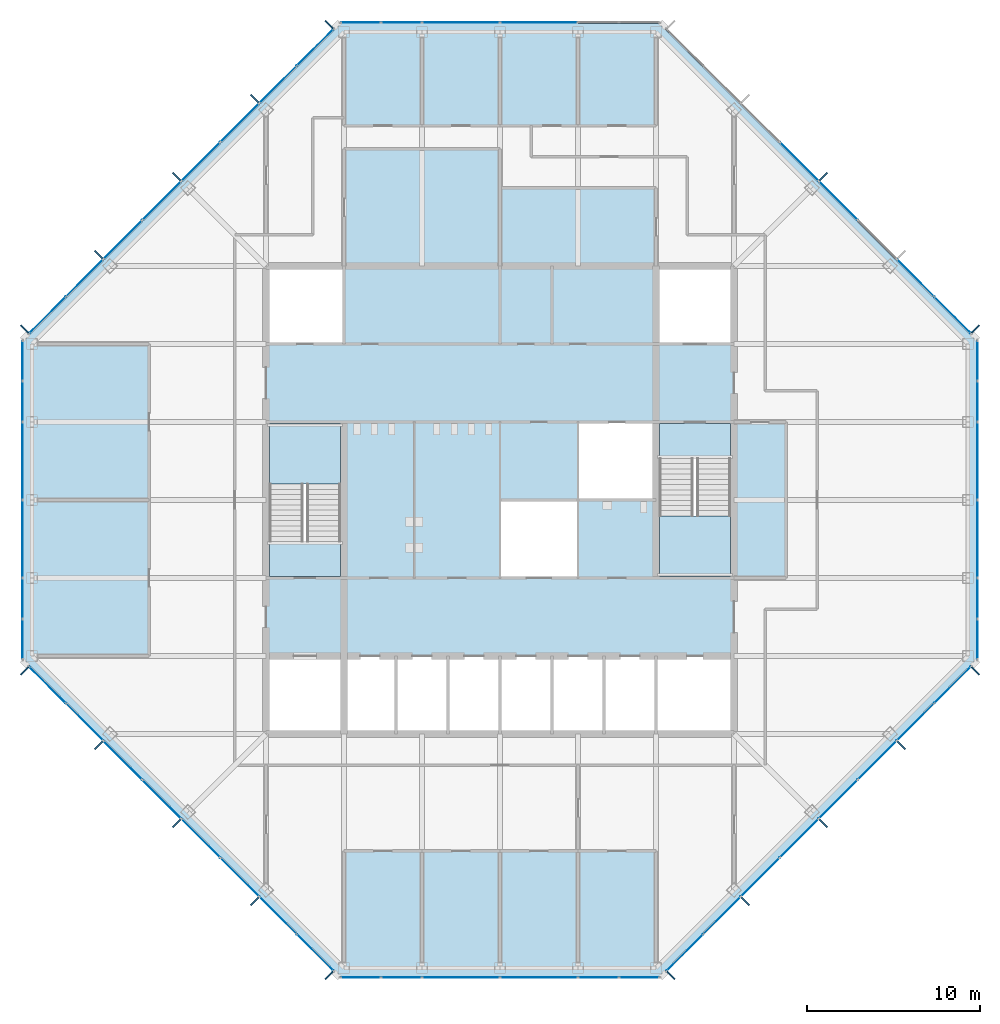
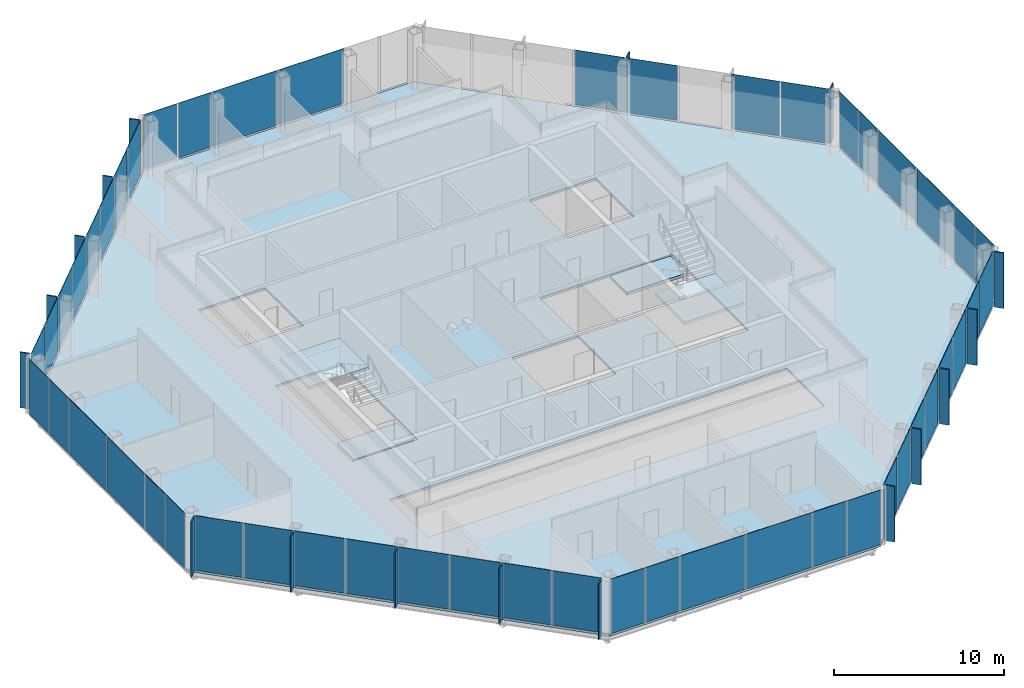
# One storey, part 8 of 14: 67 plates, 5 slabs, 10 elements without a shape of their own.
"""IFC4 building model written with IfcOpenShell, lengths in metres."""

from ifc_helpers import new_model, si_unit, direction, frame, origin, origin_2d, place, context, subcontext, project, spatial, polyline, rectangle, outline, extrude, material, layer, layer_set, type_object, element, aggregate, save


model = new_model("IFC4")

# Units and contexts
model_context = context("Model", 3, precision=1e-05, world=origin(), true_north=direction((0.0, 1.0)))
body_context = subcontext(model_context, "Body", "Model", "MODEL_VIEW")
ifc_project = project(units=[si_unit("LENGTHUNIT", "METRE"), si_unit("AREAUNIT", "SQUARE_METRE"), si_unit("VOLUMEUNIT", "CUBIC_METRE"), si_unit("PLANEANGLEUNIT", "RADIAN"), si_unit("MASSUNIT", "GRAM", prefix="KILO")], contexts=[model_context])

# Site, building, storey
site_placement = place(None, origin())
site = spatial("IfcSite", under=ifc_project, at=site_placement, CompositionType="ELEMENT")
building_placement = place(site_placement, origin())
building = spatial("IfcBuilding", under=site, at=building_placement, Name="Corais Broadcast Tower", CompositionType="ELEMENT")
storey_placement = place(building_placement, frame((0.0, 0.0, 254.60009765625)))
storey = spatial("IfcBuildingStorey", under=building, at=storey_placement, Name="L59", CompositionType="ELEMENT", Elevation=254.60009765625)

# Slab
ifc_material_1 = material(Name="Concrete C30/37", Category="concrete")
ifc_layer_1 = layer(ifc_material_1, 0.159912109375)
ifc_layer_set_1 = layer_set([ifc_layer_1], Name="Concrete C30/37")
slab_type_1 = type_object("IfcSlabType", Name="Composite floor slab 160", PredefinedType="FLOOR", material=ifc_layer_set_1)
slab_1_placement = place(storey_placement, frame((0.0, 0.0, -0.16015625)))
element("IfcSlab", 1, at=slab_1_placement, inside=storey, type_object=slab_type_1, Name="S160 floor slab L59", PredefinedType="FLOOR", context=body_context, shape_type="SweptSolid", body=[
    extrude(outline(polyline([(17.80126953125, -0.47998046875), (-0.47998046875, 17.80126953125), (-0.47998046875, 36.19873046875), (17.80126953125, 54.47998046875), (36.19873046875, 54.47998046875), (54.47998046875, 36.19873046875), (54.47998046875, 17.80126953125), (36.19873046875, -0.47998046875), (17.80126953125, -0.47998046875)]), holes=[polyline([(13.5, 18.0), (40.5, 18.0), (40.5, 13.5), (13.5, 13.5), (13.5, 18.0)]), polyline([(18.0, 22.5), (13.5, 22.5), (13.5, 31.5), (18.0, 31.5), (18.0, 22.5)]), polyline([(18.0, 36.0), (13.5, 36.0), (13.5, 40.5), (18.0, 40.5), (18.0, 36.0)]), polyline([(31.5, 22.5), (27.0, 22.5), (27.0, 27.0), (31.4951171875, 27.0), (31.4951171875, 27.0048828125), (31.5, 27.0048828125), (31.5, 31.5), (40.5, 31.5), (40.5, 22.5), (36.0, 22.5), (36.0, 27.0), (31.5048828125, 27.0), (31.5048828125, 26.9951171875), (31.5, 26.9951171875), (31.5, 22.5)]), polyline([(40.5, 36.0), (36.0, 36.0), (36.0, 40.5), (40.5, 40.5), (40.5, 36.0)])]), origin(), (0.0, 0.0, 1.0), 0.16015625),
])

# Curtain wall, plates
ifc_material_2 = material(Name="Aluminium and glass", Category="aluminium")
curtain_wall_type = type_object("IfcCurtainWallType", Name="Unitised fritted curtain wall CW3", PredefinedType="NOTDEFINED", material=ifc_material_2)
curtain_wall_1_placement = place(storey_placement, origin())
curtain_wall_1 = element("IfcCurtainWall", 2, at=curtain_wall_1_placement, inside=storey, type_object=curtain_wall_type, Name="CW3 curtain wall L59 1", PredefinedType="NOTDEFINED")
ifc_material_3 = material(Name="Ceramic-fritted laminated glass", Category="glass")
ifc_layer_2 = layer(ifc_material_3, 0.02587890625)
ifc_layer_set_2 = layer_set([ifc_layer_2], Name="Ceramic-fritted laminated glass")
plate_type_1 = type_object("IfcPlateType", Name="Fritted glass panel CW3", PredefinedType="CURTAIN_PANEL", material=ifc_layer_set_2)
plate_1_placement = place(storey_placement, frame((16.330322265625, 0.891845703125, 0.06494140625), z_axis=(0.0, 0.0, 1.0), x_axis=(-0.707106781187, 0.707106781187, 0.0)))
plate_1 = element("IfcPlate", 3, at=plate_1_placement, type_object=plate_type_1, Name="CW3 panel 1", PredefinedType="CURTAIN_PANEL", context=body_context, shape_type="SweptSolid", body=[
    extrude(rectangle(XDim=2.9482421875, YDim=0.02587890625, at=origin_2d()), origin(), (0.0, 0.0, 1.0), 3.93505859375),
])
plate_2_placement = place(storey_placement, frame((11.986083984375, 5.236083984375, 0.06494140625), z_axis=(0.0, 0.0, 1.0), x_axis=(-0.707106781187, 0.707106781187, 0.0)))
plate_2 = element("IfcPlate", 4, at=plate_2_placement, type_object=plate_type_1, Name="CW3 panel 3", PredefinedType="CURTAIN_PANEL", context=body_context, shape_type="SweptSolid", body=[
    extrude(rectangle(XDim=3.116943359375, YDim=0.02587890625, at=origin_2d()), origin(), (0.0, 0.0, 1.0), 3.93505859375),
])
plate_3_placement = place(storey_placement, frame((7.486083984375, 9.736083984375, 0.06494140625), z_axis=(0.0, 0.0, 1.0), x_axis=(-0.707106781187, 0.707106781187, 0.0)))
plate_3 = element("IfcPlate", 5, at=plate_3_placement, type_object=plate_type_1, Name="CW3 panel 5", PredefinedType="CURTAIN_PANEL", context=body_context, shape_type="SweptSolid", body=[
    extrude(rectangle(XDim=3.116943359375, YDim=0.02587890625, at=origin_2d()), origin(), (0.0, 0.0, 1.0), 3.93505859375),
])
plate_4_placement = place(storey_placement, frame((3.0341796875, 14.18798828125, 0.06494140625), z_axis=(0.0, 0.0, 1.0), x_axis=(-0.707106781187, 0.707106781187, 0.0)))
plate_4 = element("IfcPlate", 6, at=plate_4_placement, type_object=plate_type_1, Name="CW3 panel 7", PredefinedType="CURTAIN_PANEL", context=body_context, shape_type="SweptSolid", body=[
    extrude(rectangle(XDim=2.98095703125, YDim=0.02587890625, at=origin_2d()), origin(), (0.0, 0.0, 1.0), 3.93505859375),
])

curtain_wall_2_placement = place(storey_placement, origin())
curtain_wall_2 = element("IfcCurtainWall", 7, at=curtain_wall_2_placement, inside=storey, type_object=curtain_wall_type, Name="CW3 curtain wall L59 2", PredefinedType="NOTDEFINED")
plate_5_placement = place(storey_placement, frame((-0.550048828125, 18.970458984375, 0.06494140625), z_axis=(0.0, 0.0, 1.0), x_axis=(0.0, 1.0, 0.0)))
plate_5 = element("IfcPlate", 8, at=plate_5_placement, type_object=plate_type_1, Name="CW3 panel 1", PredefinedType="CURTAIN_PANEL", context=body_context, shape_type="SweptSolid", body=[
    extrude(rectangle(XDim=2.266357421875, YDim=0.02587890625, at=origin_2d()), origin(), (0.0, 0.0, 1.0), 3.93505859375),
])
plate_6_placement = place(storey_placement, frame((-0.550048828125, 24.75, 0.06494140625), z_axis=(0.0, 0.0, 1.0), x_axis=(0.0, 1.0, 0.0)))
plate_6 = element("IfcPlate", 9, at=plate_6_placement, type_object=plate_type_1, Name="CW3 panel 3", PredefinedType="CURTAIN_PANEL", context=body_context, shape_type="SweptSolid", body=[
    extrude(rectangle(XDim=4.43505859375, YDim=0.02587890625, at=origin_2d()), origin(), (0.0, 0.0, 1.0), 3.93505859375),
])
plate_7_placement = place(storey_placement, frame((-0.550048828125, 32.681884765625, 0.06494140625), z_axis=(0.0, 0.0, 1.0), x_axis=(0.0, 1.0, 0.0)))
plate_7 = element("IfcPlate", 10, at=plate_7_placement, type_object=plate_type_1, Name="CW3 panel 5", PredefinedType="CURTAIN_PANEL", context=body_context, shape_type="SweptSolid", body=[
    extrude(rectangle(XDim=2.298828125, YDim=0.02587890625, at=origin_2d()), origin(), (0.0, 0.0, 1.0), 3.93505859375),
])

curtain_wall_3_placement = place(storey_placement, origin())
curtain_wall_3 = element("IfcCurtainWall", 11, at=curtain_wall_3_placement, inside=storey, type_object=curtain_wall_type, Name="CW3 curtain wall L59 3", PredefinedType="NOTDEFINED")
plate_8_placement = place(storey_placement, frame((0.891845703125, 37.669677734375, 0.06494140625), z_axis=(0.0, 0.0, 1.0), x_axis=(0.707106781187, 0.707106781187, 0.0)))
plate_8 = element("IfcPlate", 12, at=plate_8_placement, type_object=plate_type_1, Name="CW3 panel 1", PredefinedType="CURTAIN_PANEL", context=body_context, shape_type="SweptSolid", body=[
    extrude(rectangle(XDim=2.9482421875, YDim=0.02587890625, at=origin_2d()), origin(), (0.0, 0.0, 1.0), 3.93505859375),
])
plate_9_placement = place(storey_placement, frame((5.236083984375, 42.013916015625, 0.06494140625), z_axis=(0.0, 0.0, 1.0), x_axis=(0.707106781187, 0.707106781187, 0.0)))
plate_9 = element("IfcPlate", 13, at=plate_9_placement, type_object=plate_type_1, Name="CW3 panel 3", PredefinedType="CURTAIN_PANEL", context=body_context, shape_type="SweptSolid", body=[
    extrude(rectangle(XDim=3.116943359375, YDim=0.02587890625, at=origin_2d()), origin(), (0.0, 0.0, 1.0), 3.93505859375),
])
plate_10_placement = place(storey_placement, frame((9.736083984375, 46.513916015625, 0.06494140625), z_axis=(0.0, 0.0, 1.0), x_axis=(0.707106781187, 0.707106781187, 0.0)))
plate_10 = element("IfcPlate", 14, at=plate_10_placement, type_object=plate_type_1, Name="CW3 panel 5", PredefinedType="CURTAIN_PANEL", context=body_context, shape_type="SweptSolid", body=[
    extrude(rectangle(XDim=3.116943359375, YDim=0.02587890625, at=origin_2d()), origin(), (0.0, 0.0, 1.0), 3.93505859375),
])
plate_11_placement = place(storey_placement, frame((14.18798828125, 50.9658203125, 0.06494140625), z_axis=(0.0, 0.0, 1.0), x_axis=(0.707106781187, 0.707106781187, 0.0)))
plate_11 = element("IfcPlate", 15, at=plate_11_placement, type_object=plate_type_1, Name="CW3 panel 7", PredefinedType="CURTAIN_PANEL", context=body_context, shape_type="SweptSolid", body=[
    extrude(rectangle(XDim=2.98095703125, YDim=0.02587890625, at=origin_2d()), origin(), (0.0, 0.0, 1.0), 3.93505859375),
])

curtain_wall_4_placement = place(storey_placement, origin())
curtain_wall_4 = element("IfcCurtainWall", 16, at=curtain_wall_4_placement, inside=storey, type_object=curtain_wall_type, Name="CW3 curtain wall L59 4", PredefinedType="NOTDEFINED")
plate_12_placement = place(storey_placement, frame((18.970458984375, 54.550048828125, 0.06494140625), z_axis=(0.0, 0.0, 1.0), x_axis=(1.0, 0.0, 0.0)))
plate_12 = element("IfcPlate", 17, at=plate_12_placement, type_object=plate_type_1, Name="CW3 panel 1", PredefinedType="CURTAIN_PANEL", context=body_context, shape_type="SweptSolid", body=[
    extrude(rectangle(XDim=2.266357421875, YDim=0.02587890625, at=origin_2d()), origin(), (0.0, 0.0, 1.0), 3.93505859375),
])
plate_13_placement = place(storey_placement, frame((24.75, 54.550048828125, 0.06494140625), z_axis=(0.0, 0.0, 1.0), x_axis=(1.0, 0.0, 0.0)))
plate_13 = element("IfcPlate", 18, at=plate_13_placement, type_object=plate_type_1, Name="CW3 panel 3", PredefinedType="CURTAIN_PANEL", context=body_context, shape_type="SweptSolid", body=[
    extrude(rectangle(XDim=4.43505859375, YDim=0.02587890625, at=origin_2d()), origin(), (0.0, 0.0, 1.0), 3.93505859375),
])

curtain_wall_5_placement = place(storey_placement, origin())
curtain_wall_5 = element("IfcCurtainWall", 19, at=curtain_wall_5_placement, inside=storey, type_object=curtain_wall_type, Name="CW3 curtain wall L59 5", PredefinedType="NOTDEFINED")
plate_14_placement = place(storey_placement, frame((46.513916015625, 44.263916015625, 0.06494140625), z_axis=(0.0, 0.0, 1.0), x_axis=(0.707106781187, -0.707106781187, 0.0)))
plate_14 = element("IfcPlate", 20, at=plate_14_placement, type_object=plate_type_1, Name="CW3 panel 5", PredefinedType="CURTAIN_PANEL", context=body_context, shape_type="SweptSolid", body=[
    extrude(rectangle(XDim=3.116943359375, YDim=0.02587890625, at=origin_2d()), origin(), (0.0, 0.0, 1.0), 3.93505859375),
])
plate_15_placement = place(storey_placement, frame((50.9658203125, 39.81201171875, 0.06494140625), z_axis=(0.0, 0.0, 1.0), x_axis=(0.707106781187, -0.707106781187, 0.0)))
plate_15 = element("IfcPlate", 21, at=plate_15_placement, type_object=plate_type_1, Name="CW3 panel 7", PredefinedType="CURTAIN_PANEL", context=body_context, shape_type="SweptSolid", body=[
    extrude(rectangle(XDim=2.98095703125, YDim=0.02587890625, at=origin_2d()), origin(), (0.0, 0.0, 1.0), 3.93505859375),
])

curtain_wall_6_placement = place(storey_placement, origin())
curtain_wall_6 = element("IfcCurtainWall", 22, at=curtain_wall_6_placement, inside=storey, type_object=curtain_wall_type, Name="CW3 curtain wall L59 6", PredefinedType="NOTDEFINED")
plate_16_placement = place(storey_placement, frame((54.550048828125, 35.029541015625, 0.06494140625), z_axis=(0.0, 0.0, 1.0), x_axis=(0.0, -1.0, 0.0)))
plate_16 = element("IfcPlate", 23, at=plate_16_placement, type_object=plate_type_1, Name="CW3 panel 1", PredefinedType="CURTAIN_PANEL", context=body_context, shape_type="SweptSolid", body=[
    extrude(rectangle(XDim=2.266357421875, YDim=0.02587890625, at=origin_2d()), origin(), (0.0, 0.0, 1.0), 3.93505859375),
])
plate_17_placement = place(storey_placement, frame((54.550048828125, 29.25, 0.06494140625), z_axis=(0.0, 0.0, 1.0), x_axis=(0.0, -1.0, 0.0)))
plate_17 = element("IfcPlate", 24, at=plate_17_placement, type_object=plate_type_1, Name="CW3 panel 3", PredefinedType="CURTAIN_PANEL", context=body_context, shape_type="SweptSolid", body=[
    extrude(rectangle(XDim=4.43505859375, YDim=0.02587890625, at=origin_2d()), origin(), (0.0, 0.0, 1.0), 3.93505859375),
])
plate_18_placement = place(storey_placement, frame((54.550048828125, 21.318115234375, 0.06494140625), z_axis=(0.0, 0.0, 1.0), x_axis=(0.0, -1.0, 0.0)))
plate_18 = element("IfcPlate", 25, at=plate_18_placement, type_object=plate_type_1, Name="CW3 panel 5", PredefinedType="CURTAIN_PANEL", context=body_context, shape_type="SweptSolid", body=[
    extrude(rectangle(XDim=2.298828125, YDim=0.02587890625, at=origin_2d()), origin(), (0.0, 0.0, 1.0), 3.93505859375),
])

curtain_wall_7_placement = place(storey_placement, origin())
curtain_wall_7 = element("IfcCurtainWall", 26, at=curtain_wall_7_placement, inside=storey, type_object=curtain_wall_type, Name="CW3 curtain wall L59 7", PredefinedType="NOTDEFINED")
plate_19_placement = place(storey_placement, frame((53.108154296875, 16.330322265625, 0.06494140625), z_axis=(0.0, 0.0, 1.0), x_axis=(-0.707106781187, -0.707106781187, 0.0)))
plate_19 = element("IfcPlate", 27, at=plate_19_placement, type_object=plate_type_1, Name="CW3 panel 1", PredefinedType="CURTAIN_PANEL", context=body_context, shape_type="SweptSolid", body=[
    extrude(rectangle(XDim=2.9482421875, YDim=0.02587890625, at=origin_2d()), origin(), (0.0, 0.0, 1.0), 3.93505859375),
])
plate_20_placement = place(storey_placement, frame((48.763916015625, 11.986083984375, 0.06494140625), z_axis=(0.0, 0.0, 1.0), x_axis=(-0.707106781187, -0.707106781187, 0.0)))
plate_20 = element("IfcPlate", 28, at=plate_20_placement, type_object=plate_type_1, Name="CW3 panel 3", PredefinedType="CURTAIN_PANEL", context=body_context, shape_type="SweptSolid", body=[
    extrude(rectangle(XDim=3.116943359375, YDim=0.02587890625, at=origin_2d()), origin(), (0.0, 0.0, 1.0), 3.93505859375),
])
plate_21_placement = place(storey_placement, frame((44.263916015625, 7.486083984375, 0.06494140625), z_axis=(0.0, 0.0, 1.0), x_axis=(-0.707106781187, -0.707106781187, 0.0)))
plate_21 = element("IfcPlate", 29, at=plate_21_placement, type_object=plate_type_1, Name="CW3 panel 5", PredefinedType="CURTAIN_PANEL", context=body_context, shape_type="SweptSolid", body=[
    extrude(rectangle(XDim=3.116943359375, YDim=0.02587890625, at=origin_2d()), origin(), (0.0, 0.0, 1.0), 3.93505859375),
])
plate_22_placement = place(storey_placement, frame((39.81201171875, 3.0341796875, 0.06494140625), z_axis=(0.0, 0.0, 1.0), x_axis=(-0.707106781187, -0.707106781187, 0.0)))
plate_22 = element("IfcPlate", 30, at=plate_22_placement, type_object=plate_type_1, Name="CW3 panel 7", PredefinedType="CURTAIN_PANEL", context=body_context, shape_type="SweptSolid", body=[
    extrude(rectangle(XDim=2.98095703125, YDim=0.02587890625, at=origin_2d()), origin(), (0.0, 0.0, 1.0), 3.93505859375),
])

curtain_wall_8_placement = place(storey_placement, origin())
curtain_wall_8 = element("IfcCurtainWall", 31, at=curtain_wall_8_placement, inside=storey, type_object=curtain_wall_type, Name="CW3 curtain wall L59 8", PredefinedType="NOTDEFINED")
plate_23_placement = place(storey_placement, frame((35.029541015625, -0.550048828125, 0.06494140625), z_axis=(0.0, 0.0, 1.0), x_axis=(-1.0, 0.0, 0.0)))
plate_23 = element("IfcPlate", 32, at=plate_23_placement, type_object=plate_type_1, Name="CW3 panel 1", PredefinedType="CURTAIN_PANEL", context=body_context, shape_type="SweptSolid", body=[
    extrude(rectangle(XDim=2.266357421875, YDim=0.02587890625, at=origin_2d()), origin(), (0.0, 0.0, 1.0), 3.93505859375),
])
plate_24_placement = place(storey_placement, frame((29.25, -0.550048828125, 0.06494140625), z_axis=(0.0, 0.0, 1.0), x_axis=(-1.0, 0.0, 0.0)))
plate_24 = element("IfcPlate", 33, at=plate_24_placement, type_object=plate_type_1, Name="CW3 panel 3", PredefinedType="CURTAIN_PANEL", context=body_context, shape_type="SweptSolid", body=[
    extrude(rectangle(XDim=4.43505859375, YDim=0.02587890625, at=origin_2d()), origin(), (0.0, 0.0, 1.0), 3.93505859375),
])
plate_25_placement = place(storey_placement, frame((21.318115234375, -0.550048828125, 0.06494140625), z_axis=(0.0, 0.0, 1.0), x_axis=(-1.0, 0.0, 0.0)))
plate_25 = element("IfcPlate", 34, at=plate_25_placement, type_object=plate_type_1, Name="CW3 panel 5", PredefinedType="CURTAIN_PANEL", context=body_context, shape_type="SweptSolid", body=[
    extrude(rectangle(XDim=2.298828125, YDim=0.02587890625, at=origin_2d()), origin(), (0.0, 0.0, 1.0), 3.93505859375),
])

# Plate
ifc_material_4 = material(Name="Clear laminated glass", Category="glass")
ifc_layer_3 = layer(ifc_material_4, 0.030029296875)
ifc_layer_set_3 = layer_set([ifc_layer_3], Name="Clear laminated glass")
plate_type_2 = type_object("IfcPlateType", Name="Operable glass panel CW3", PredefinedType="CURTAIN_PANEL", material=ifc_layer_set_3)
plate_26_placement = place(storey_placement, frame((14.18798828125, 3.0341796875, 0.06494140625), z_axis=(0.0, 0.0, 1.0), x_axis=(-0.707106781187, 0.707106781187, 0.0)))
plate_26 = element("IfcPlate", 35, at=plate_26_placement, type_object=plate_type_2, Name="CW3 operable panel 2", PredefinedType="CURTAIN_PANEL", context=body_context, shape_type="SweptSolid", body=[
    extrude(rectangle(XDim=2.98095703125, YDim=0.030029296875, at=origin_2d()), origin(), (0.0, 0.0, 1.0), 3.93505859375),
])

plate_27_placement = place(storey_placement, frame((9.736083984375, 7.486083984375, 0.06494140625), z_axis=(0.0, 0.0, 1.0), x_axis=(-0.707106781187, 0.707106781187, 0.0)))
plate_27 = element("IfcPlate", 36, at=plate_27_placement, type_object=plate_type_2, Name="CW3 operable panel 4", PredefinedType="CURTAIN_PANEL", context=body_context, shape_type="SweptSolid", body=[
    extrude(rectangle(XDim=3.116943359375, YDim=0.030029296875, at=origin_2d()), origin(), (0.0, 0.0, 1.0), 3.93505859375),
])

plate_28_placement = place(storey_placement, frame((5.236083984375, 11.986083984375, 0.06494140625), z_axis=(0.0, 0.0, 1.0), x_axis=(-0.707106781187, 0.707106781187, 0.0)))
plate_28 = element("IfcPlate", 37, at=plate_28_placement, type_object=plate_type_2, Name="CW3 operable panel 6", PredefinedType="CURTAIN_PANEL", context=body_context, shape_type="SweptSolid", body=[
    extrude(rectangle(XDim=3.116943359375, YDim=0.030029296875, at=origin_2d()), origin(), (0.0, 0.0, 1.0), 3.93505859375),
])

plate_29_placement = place(storey_placement, frame((0.89208984375, 16.330322265625, 0.06494140625), z_axis=(0.0, 0.0, 1.0), x_axis=(-0.707106781187, 0.707106781187, 0.0)))
plate_29 = element("IfcPlate", 38, at=plate_29_placement, type_object=plate_type_2, Name="CW3 operable panel 8", PredefinedType="CURTAIN_PANEL", context=body_context, shape_type="SweptSolid", body=[
    extrude(rectangle(XDim=2.948486328125, YDim=0.030029296875, at=origin_2d()), origin(), (0.0, 0.0, 1.0), 3.93505859375),
])

aggregate(curtain_wall_1, [plate_1, plate_26, plate_2, plate_27, plate_3, plate_28, plate_4, plate_29])

plate_30_placement = place(storey_placement, frame((-0.550048828125, 21.318115234375, 0.06494140625), z_axis=(0.0, 0.0, 1.0), x_axis=(0.0, 1.0, 0.0)))
plate_30 = element("IfcPlate", 39, at=plate_30_placement, type_object=plate_type_2, Name="CW3 operable panel 2", PredefinedType="CURTAIN_PANEL", context=body_context, shape_type="SweptSolid", body=[
    extrude(rectangle(XDim=2.298828125, YDim=0.030029296875, at=origin_2d()), origin(), (0.0, 0.0, 1.0), 3.93505859375),
])

plate_31_placement = place(storey_placement, frame((-0.550048828125, 29.25, 0.06494140625), z_axis=(0.0, 0.0, 1.0), x_axis=(0.0, 1.0, 0.0)))
plate_31 = element("IfcPlate", 40, at=plate_31_placement, type_object=plate_type_2, Name="CW3 operable panel 4", PredefinedType="CURTAIN_PANEL", context=body_context, shape_type="SweptSolid", body=[
    extrude(rectangle(XDim=4.43505859375, YDim=0.030029296875, at=origin_2d()), origin(), (0.0, 0.0, 1.0), 3.93505859375),
])

plate_32_placement = place(storey_placement, frame((-0.550048828125, 35.029541015625, 0.06494140625), z_axis=(0.0, 0.0, 1.0), x_axis=(0.0, 1.0, 0.0)))
plate_32 = element("IfcPlate", 41, at=plate_32_placement, type_object=plate_type_2, Name="CW3 operable panel 6", PredefinedType="CURTAIN_PANEL", context=body_context, shape_type="SweptSolid", body=[
    extrude(rectangle(XDim=2.266357421875, YDim=0.030029296875, at=origin_2d()), origin(), (0.0, 0.0, 1.0), 3.93505859375),
])

aggregate(curtain_wall_2, [plate_5, plate_30, plate_6, plate_31, plate_7, plate_32])

plate_33_placement = place(storey_placement, frame((3.0341796875, 39.81201171875, 0.06494140625), z_axis=(0.0, 0.0, 1.0), x_axis=(0.707106781187, 0.707106781187, 0.0)))
plate_33 = element("IfcPlate", 42, at=plate_33_placement, type_object=plate_type_2, Name="CW3 operable panel 2", PredefinedType="CURTAIN_PANEL", context=body_context, shape_type="SweptSolid", body=[
    extrude(rectangle(XDim=2.98095703125, YDim=0.030029296875, at=origin_2d()), origin(), (0.0, 0.0, 1.0), 3.93505859375),
])

plate_34_placement = place(storey_placement, frame((7.486083984375, 44.263916015625, 0.06494140625), z_axis=(0.0, 0.0, 1.0), x_axis=(0.707106781187, 0.707106781187, 0.0)))
plate_34 = element("IfcPlate", 43, at=plate_34_placement, type_object=plate_type_2, Name="CW3 operable panel 4", PredefinedType="CURTAIN_PANEL", context=body_context, shape_type="SweptSolid", body=[
    extrude(rectangle(XDim=3.116943359375, YDim=0.030029296875, at=origin_2d()), origin(), (0.0, 0.0, 1.0), 3.93505859375),
])

plate_35_placement = place(storey_placement, frame((11.986083984375, 48.763916015625, 0.06494140625), z_axis=(0.0, 0.0, 1.0), x_axis=(0.707106781187, 0.707106781187, 0.0)))
plate_35 = element("IfcPlate", 44, at=plate_35_placement, type_object=plate_type_2, Name="CW3 operable panel 6", PredefinedType="CURTAIN_PANEL", context=body_context, shape_type="SweptSolid", body=[
    extrude(rectangle(XDim=3.116943359375, YDim=0.030029296875, at=origin_2d()), origin(), (0.0, 0.0, 1.0), 3.93505859375),
])

plate_36_placement = place(storey_placement, frame((16.330322265625, 53.10791015625, 0.06494140625), z_axis=(0.0, 0.0, 1.0), x_axis=(0.707106781187, 0.707106781187, 0.0)))
plate_36 = element("IfcPlate", 45, at=plate_36_placement, type_object=plate_type_2, Name="CW3 operable panel 8", PredefinedType="CURTAIN_PANEL", context=body_context, shape_type="SweptSolid", body=[
    extrude(rectangle(XDim=2.948486328125, YDim=0.030029296875, at=origin_2d()), origin(), (0.0, 0.0, 1.0), 3.93505859375),
])

aggregate(curtain_wall_3, [plate_8, plate_33, plate_9, plate_34, plate_10, plate_35, plate_11, plate_36])

plate_37_placement = place(storey_placement, frame((21.318115234375, 54.550048828125, 0.06494140625), z_axis=(0.0, 0.0, 1.0), x_axis=(1.0, 0.0, 0.0)))
plate_37 = element("IfcPlate", 46, at=plate_37_placement, type_object=plate_type_2, Name="CW3 operable panel 2", PredefinedType="CURTAIN_PANEL", context=body_context, shape_type="SweptSolid", body=[
    extrude(rectangle(XDim=2.298828125, YDim=0.030029296875, at=origin_2d()), origin(), (0.0, 0.0, 1.0), 3.93505859375),
])

plate_38_placement = place(storey_placement, frame((29.25, 54.550048828125, 0.06494140625), z_axis=(0.0, 0.0, 1.0), x_axis=(1.0, 0.0, 0.0)))
plate_38 = element("IfcPlate", 47, at=plate_38_placement, type_object=plate_type_2, Name="CW3 operable panel 4", PredefinedType="CURTAIN_PANEL", context=body_context, shape_type="SweptSolid", body=[
    extrude(rectangle(XDim=4.43505859375, YDim=0.030029296875, at=origin_2d()), origin(), (0.0, 0.0, 1.0), 3.93505859375),
])

aggregate(curtain_wall_4, [plate_12, plate_37, plate_13, plate_38])

plate_39_placement = place(storey_placement, frame((44.263916015625, 46.513916015625, 0.06494140625), z_axis=(0.0, 0.0, 1.0), x_axis=(0.707106781187, -0.707106781187, 0.0)))
plate_39 = element("IfcPlate", 48, at=plate_39_placement, type_object=plate_type_2, Name="CW3 operable panel 4", PredefinedType="CURTAIN_PANEL", context=body_context, shape_type="SweptSolid", body=[
    extrude(rectangle(XDim=3.116943359375, YDim=0.030029296875, at=origin_2d()), origin(), (0.0, 0.0, 1.0), 3.93505859375),
])

plate_40_placement = place(storey_placement, frame((53.10791015625, 37.669677734375, 0.06494140625), z_axis=(0.0, 0.0, 1.0), x_axis=(0.707106781187, -0.707106781187, 0.0)))
plate_40 = element("IfcPlate", 49, at=plate_40_placement, type_object=plate_type_2, Name="CW3 operable panel 8", PredefinedType="CURTAIN_PANEL", context=body_context, shape_type="SweptSolid", body=[
    extrude(rectangle(XDim=2.948486328125, YDim=0.030029296875, at=origin_2d()), origin(), (0.0, 0.0, 1.0), 3.93505859375),
])

aggregate(curtain_wall_5, [plate_39, plate_14, plate_15, plate_40])

plate_41_placement = place(storey_placement, frame((54.550048828125, 32.681884765625, 0.06494140625), z_axis=(0.0, 0.0, 1.0), x_axis=(0.0, -1.0, 0.0)))
plate_41 = element("IfcPlate", 50, at=plate_41_placement, type_object=plate_type_2, Name="CW3 operable panel 2", PredefinedType="CURTAIN_PANEL", context=body_context, shape_type="SweptSolid", body=[
    extrude(rectangle(XDim=2.298828125, YDim=0.030029296875, at=origin_2d()), origin(), (0.0, 0.0, 1.0), 3.93505859375),
])

plate_42_placement = place(storey_placement, frame((54.550048828125, 24.75, 0.06494140625), z_axis=(0.0, 0.0, 1.0), x_axis=(0.0, -1.0, 0.0)))
plate_42 = element("IfcPlate", 51, at=plate_42_placement, type_object=plate_type_2, Name="CW3 operable panel 4", PredefinedType="CURTAIN_PANEL", context=body_context, shape_type="SweptSolid", body=[
    extrude(rectangle(XDim=4.43505859375, YDim=0.030029296875, at=origin_2d()), origin(), (0.0, 0.0, 1.0), 3.93505859375),
])

plate_43_placement = place(storey_placement, frame((54.550048828125, 18.970458984375, 0.06494140625), z_axis=(0.0, 0.0, 1.0), x_axis=(0.0, -1.0, 0.0)))
plate_43 = element("IfcPlate", 52, at=plate_43_placement, type_object=plate_type_2, Name="CW3 operable panel 6", PredefinedType="CURTAIN_PANEL", context=body_context, shape_type="SweptSolid", body=[
    extrude(rectangle(XDim=2.266357421875, YDim=0.030029296875, at=origin_2d()), origin(), (0.0, 0.0, 1.0), 3.93505859375),
])

aggregate(curtain_wall_6, [plate_16, plate_41, plate_17, plate_42, plate_18, plate_43])

plate_44_placement = place(storey_placement, frame((50.9658203125, 14.18798828125, 0.06494140625), z_axis=(0.0, 0.0, 1.0), x_axis=(-0.707106781187, -0.707106781187, 0.0)))
plate_44 = element("IfcPlate", 53, at=plate_44_placement, type_object=plate_type_2, Name="CW3 operable panel 2", PredefinedType="CURTAIN_PANEL", context=body_context, shape_type="SweptSolid", body=[
    extrude(rectangle(XDim=2.98095703125, YDim=0.030029296875, at=origin_2d()), origin(), (0.0, 0.0, 1.0), 3.93505859375),
])

plate_45_placement = place(storey_placement, frame((46.513916015625, 9.736083984375, 0.06494140625), z_axis=(0.0, 0.0, 1.0), x_axis=(-0.707106781187, -0.707106781187, 0.0)))
plate_45 = element("IfcPlate", 54, at=plate_45_placement, type_object=plate_type_2, Name="CW3 operable panel 4", PredefinedType="CURTAIN_PANEL", context=body_context, shape_type="SweptSolid", body=[
    extrude(rectangle(XDim=3.116943359375, YDim=0.030029296875, at=origin_2d()), origin(), (0.0, 0.0, 1.0), 3.93505859375),
])

plate_46_placement = place(storey_placement, frame((42.013916015625, 5.236083984375, 0.06494140625), z_axis=(0.0, 0.0, 1.0), x_axis=(-0.707106781187, -0.707106781187, 0.0)))
plate_46 = element("IfcPlate", 55, at=plate_46_placement, type_object=plate_type_2, Name="CW3 operable panel 6", PredefinedType="CURTAIN_PANEL", context=body_context, shape_type="SweptSolid", body=[
    extrude(rectangle(XDim=3.116943359375, YDim=0.030029296875, at=origin_2d()), origin(), (0.0, 0.0, 1.0), 3.93505859375),
])

plate_47_placement = place(storey_placement, frame((37.669677734375, 0.89208984375, 0.06494140625), z_axis=(0.0, 0.0, 1.0), x_axis=(-0.707106781187, -0.707106781187, 0.0)))
plate_47 = element("IfcPlate", 56, at=plate_47_placement, type_object=plate_type_2, Name="CW3 operable panel 8", PredefinedType="CURTAIN_PANEL", context=body_context, shape_type="SweptSolid", body=[
    extrude(rectangle(XDim=2.948486328125, YDim=0.030029296875, at=origin_2d()), origin(), (0.0, 0.0, 1.0), 3.93505859375),
])

aggregate(curtain_wall_7, [plate_19, plate_44, plate_20, plate_45, plate_21, plate_46, plate_22, plate_47])

plate_48_placement = place(storey_placement, frame((32.681884765625, -0.550048828125, 0.06494140625), z_axis=(0.0, 0.0, 1.0), x_axis=(-1.0, 0.0, 0.0)))
plate_48 = element("IfcPlate", 57, at=plate_48_placement, type_object=plate_type_2, Name="CW3 operable panel 2", PredefinedType="CURTAIN_PANEL", context=body_context, shape_type="SweptSolid", body=[
    extrude(rectangle(XDim=2.298828125, YDim=0.030029296875, at=origin_2d()), origin(), (0.0, 0.0, 1.0), 3.93505859375),
])

plate_49_placement = place(storey_placement, frame((24.75, -0.550048828125, 0.06494140625), z_axis=(0.0, 0.0, 1.0), x_axis=(-1.0, 0.0, 0.0)))
plate_49 = element("IfcPlate", 58, at=plate_49_placement, type_object=plate_type_2, Name="CW3 operable panel 4", PredefinedType="CURTAIN_PANEL", context=body_context, shape_type="SweptSolid", body=[
    extrude(rectangle(XDim=4.43505859375, YDim=0.030029296875, at=origin_2d()), origin(), (0.0, 0.0, 1.0), 3.93505859375),
])

plate_50_placement = place(storey_placement, frame((18.970458984375, -0.550048828125, 0.06494140625), z_axis=(0.0, 0.0, 1.0), x_axis=(-1.0, 0.0, 0.0)))
plate_50 = element("IfcPlate", 59, at=plate_50_placement, type_object=plate_type_2, Name="CW3 operable panel 6", PredefinedType="CURTAIN_PANEL", context=body_context, shape_type="SweptSolid", body=[
    extrude(rectangle(XDim=2.266357421875, YDim=0.030029296875, at=origin_2d()), origin(), (0.0, 0.0, 1.0), 3.93505859375),
])

aggregate(curtain_wall_8, [plate_23, plate_48, plate_24, plate_49, plate_25, plate_50])

# Stair, slabs
ifc_material_5 = material(Name="Concrete C30/37", Category="concrete")
stair_type = type_object("IfcStairType", Name="Half-turn stair 4000", PredefinedType="HALF_TURN_STAIR", material=ifc_material_5)
stair_1_placement = place(storey_placement, origin())
stair_1 = element("IfcStair", 60, at=stair_1_placement, inside=storey, type_object=stair_type, Name="Stair A L59", PredefinedType="HALF_TURN_STAIR")
ifc_material_6 = material(Name="Concrete C30/37", Category="concrete")
ifc_layer_4 = layer(ifc_material_6, 0.199951171875)
ifc_layer_set_4 = layer_set([ifc_layer_4], Name="Concrete C30/37")
slab_type_2 = type_object("IfcSlabType", Name="Stair landing 200", PredefinedType="LANDING", material=ifc_layer_set_4)
slab_2_placement = place(storey_placement, frame((0.0, 0.0, -0.2001953125)))
slab_2 = element("IfcSlab", 61, at=slab_2_placement, type_object=slab_type_2, Name="STA landing 1", PredefinedType="LANDING", context=body_context, shape_type="SweptSolid", body=[
    extrude(outline(polyline([(13.699951171875, 22.60009765625), (17.800048828125, 22.60009765625), (17.800048828125, 24.60009765625), (13.699951171875, 24.60009765625), (13.699951171875, 22.60009765625)])), origin(), (0.0, 0.0, 1.0), 0.2001953125),
])
slab_3_placement = place(storey_placement, frame((0.0, 0.0, 1.7998046875)))
slab_3 = element("IfcSlab", 62, at=slab_3_placement, type_object=slab_type_2, Name="STA landing 2", PredefinedType="LANDING", context=body_context, shape_type="SweptSolid", body=[
    extrude(outline(polyline([(13.699951171875, 27.922119140625), (17.800048828125, 27.922119140625), (17.800048828125, 31.39990234375), (13.699951171875, 31.39990234375), (13.699951171875, 27.922119140625)])), origin(), (0.0, 0.0, 1.0), 0.2001953125),
])
aggregate(stair_1, [slab_2, slab_3])

stair_2_placement = place(storey_placement, origin())
stair_2 = element("IfcStair", 63, at=stair_2_placement, inside=storey, type_object=stair_type, Name="Stair B L59", PredefinedType="HALF_TURN_STAIR")
slab_4_placement = place(storey_placement, frame((0.0, 0.0, -0.2001953125)))
slab_4 = element("IfcSlab", 64, at=slab_4_placement, type_object=slab_type_2, Name="STB landing 1", PredefinedType="LANDING", context=body_context, shape_type="SweptSolid", body=[
    extrude(outline(polyline([(36.199951171875, 29.39990234375), (40.300048828125, 29.39990234375), (40.300048828125, 31.39990234375), (36.199951171875, 31.39990234375), (36.199951171875, 29.39990234375)])), origin(), (0.0, 0.0, 1.0), 0.2001953125),
])
slab_5_placement = place(storey_placement, frame((0.0, 0.0, 1.7998046875)))
slab_5 = element("IfcSlab", 65, at=slab_5_placement, type_object=slab_type_2, Name="STB landing 2", PredefinedType="LANDING", context=body_context, shape_type="SweptSolid", body=[
    extrude(outline(polyline([(36.199951171875, 22.60009765625), (40.300048828125, 22.60009765625), (40.300048828125, 26.077880859375), (36.199951171875, 26.077880859375), (36.199951171875, 22.60009765625)])), origin(), (0.0, 0.0, 1.0), 0.2001953125),
])
aggregate(stair_2, [slab_4, slab_5])

# Plates
ifc_material_7 = material(Name="Granite stone cladding", Category="masonry")
ifc_layer_5 = layer(ifc_material_7, 0.080078125)
ifc_layer_set_5 = layer_set([ifc_layer_5], Name="Granite stone cladding")
plate_type_3 = type_object("IfcPlateType", Name="Stone screen fin 80x600", PredefinedType="USERDEFINED", material=ifc_layer_set_5)
for number, where, z_axis, x_axis, name in (
    (66, (17.129150390625, -0.43994140625, 0.0), (0.0, 0.0, 1.0), (-0.707106781187, 0.707106781187, 0.0), "SF1 stone screen fin L59"),
    (67, (12.844482421875, 3.844482421875, 0.0), (0.0, 0.0, 1.0), (-0.707106781187, 0.707106781187, 0.0), "SF1 stone screen fin L59"),
    (68, (8.344482421875, 8.344482421875, 0.0), (0.0, 0.0, 1.0), (-0.707106781187, 0.707106781187, 0.0), "SF1 stone screen fin L59"),
    (69, (3.844482421875, 12.844482421875, 0.0), (0.0, 0.0, 1.0), (-0.707106781187, 0.707106781187, 0.0), "SF1 stone screen fin L59"),
    (70, (-0.43994140625, 17.129150390625, 0.0), (0.0, 0.0, 1.0), (-0.707106781187, 0.707106781187, 0.0), "SF1 stone screen fin L59"),
    (71, (-0.43994140625, 36.870849609375, 0.0), (0.0, 0.0, 1.0), (0.707106781187, 0.707106781187, 0.0), "SF1 stone screen fin L59"),
    (72, (3.844482421875, 41.155517578125, 0.0), (0.0, 0.0, 1.0), (0.707106781187, 0.707106781187, 0.0), "SF1 stone screen fin L59"),
    (73, (8.344482421875, 45.655517578125, 0.0), (0.0, 0.0, 1.0), (0.707106781187, 0.707106781187, 0.0), "SF1 stone screen fin L59"),
    (74, (12.844482421875, 50.155517578125, 0.0), (0.0, 0.0, 1.0), (0.707106781187, 0.707106781187, 0.0), "SF1 stone screen fin L59"),
    (75, (17.129150390625, 54.43994140625, 0.0), (0.0, 0.0, 1.0), (0.707106781187, 0.707106781187, 0.0), "SF1 stone screen fin L59"),
    (76, (45.655517578125, 45.655517578125, 0.0), (0.0, 0.0, 1.0), (0.707106781187, -0.707106781187, 0.0), "SF1 stone screen fin L59"),
    (77, (54.43994140625, 36.870849609375, 0.0), (0.0, 0.0, 1.0), (0.707106781187, -0.707106781187, 0.0), "SF1 stone screen fin L59"),
    (78, (54.43994140625, 17.129150390625, 0.0), (0.0, 0.0, 1.0), (-0.707106781187, -0.707106781187, 0.0), "SF1 stone screen fin L59"),
    (79, (50.155517578125, 12.844482421875, 0.0), (0.0, 0.0, 1.0), (-0.707106781187, -0.707106781187, 0.0), "SF1 stone screen fin L59"),
    (80, (45.655517578125, 8.344482421875, 0.0), (0.0, 0.0, 1.0), (-0.707106781187, -0.707106781187, 0.0), "SF1 stone screen fin L59"),
    (81, (41.155517578125, 3.844482421875, 0.0), (0.0, 0.0, 1.0), (-0.707106781187, -0.707106781187, 0.0), "SF1 stone screen fin L59"),
    (82, (36.870849609375, -0.43994140625, 0.0), (0.0, 0.0, 1.0), (-0.707106781187, -0.707106781187, 0.0), "SF1 stone screen fin L59"),
):
    element("IfcPlate", number, at=place(storey_placement, frame(where, z_axis=z_axis, x_axis=x_axis)), inside=storey, type_object=plate_type_3, Name=name, ObjectType="STONE SCREEN FIN", PredefinedType="USERDEFINED", context=body_context, shape_type="SweptSolid", body=[
        extrude(rectangle(XDim=0.080078125, YDim=0.60009765625, at=origin_2d()), origin(), (0.0, 0.0, 1.0), 4.0),
    ])

save(model, "model.ifc")
